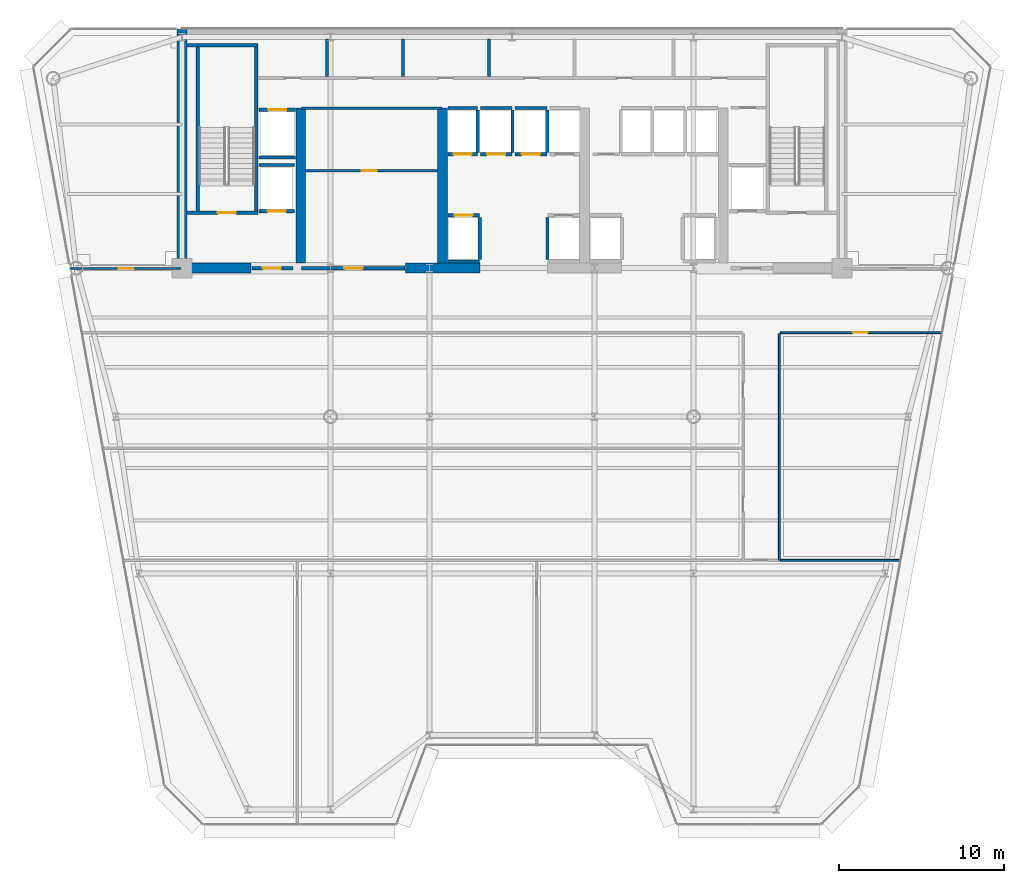
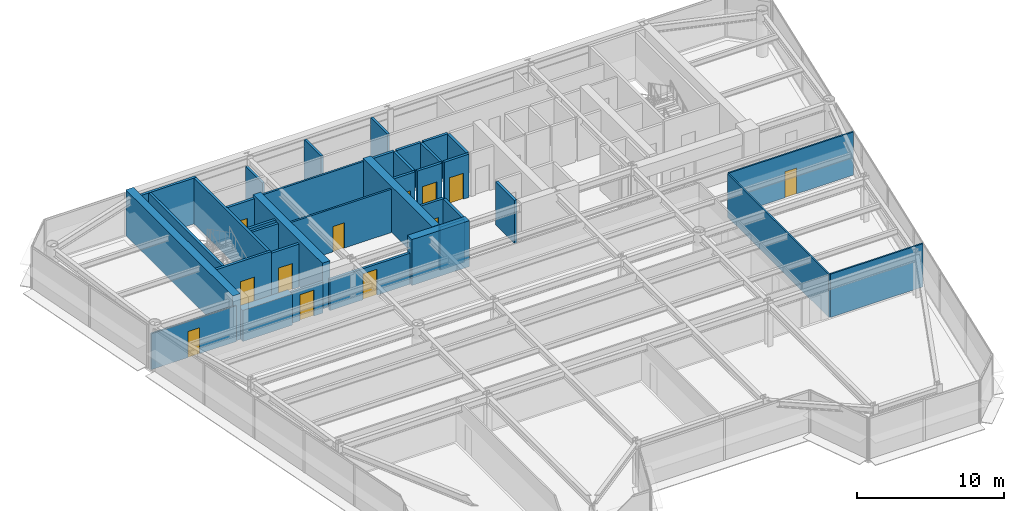
# One storey, part 11 of 17: 37 walls, 12 doors, 12 openings.
"""IFC4 building model written with IfcOpenShell, lengths in metres."""

from ifc_helpers import new_model, si_unit, direction, frame, frame_2d, origin, place, context, subcontext, project, spatial, rectangle, extrude, source, transform, mapped, material, layer, layer_set, type_object, element, fill, save


model = new_model("IFC4")

# Units and contexts
model_context = context("Model", 3, precision=1e-05, world=origin(), true_north=direction((0.0, 1.0)))
body_context = subcontext(model_context, "Body", "Model", "MODEL_VIEW")
ifc_project = project(units=[si_unit("LENGTHUNIT", "METRE"), si_unit("AREAUNIT", "SQUARE_METRE"), si_unit("VOLUMEUNIT", "CUBIC_METRE"), si_unit("PLANEANGLEUNIT", "RADIAN"), si_unit("MASSUNIT", "GRAM", prefix="KILO")], contexts=[model_context])

# Site, building, storey
site_placement = place(None, origin())
site = spatial("IfcSite", under=ifc_project, at=site_placement, CompositionType="ELEMENT")
building_placement = place(site_placement, origin())
building = spatial("IfcBuilding", under=site, at=building_placement, Name="Vaeldorn Concourse Tower", CompositionType="ELEMENT")
storey_placement = place(building_placement, frame((0.0, 0.0, 172.800048828125)))
storey = spatial("IfcBuildingStorey", under=building, at=storey_placement, Name="L44", CompositionType="ELEMENT", Elevation=172.800048828125)

# Walls
ifc_material_1 = material(Name="Concrete C50/60", Category="concrete")
ifc_layer_1 = layer(ifc_material_1, 0.60009765625)
ifc_layer_set_1 = layer_set([ifc_layer_1], Name="Concrete C50/60")
wall_type_1 = type_object("IfcWallType", Name="WL-CORE-600", PredefinedType="SHEAR", material=ifc_layer_set_1)
wall_1_placement = place(storey_placement, frame((14.0, 36.5, 0.0), z_axis=(0.0, 0.0, 1.0), x_axis=(0.0, 1.0, 0.0)))
element("IfcWall", 1, at=wall_1_placement, inside=storey, type_object=wall_type_1, Name="Rear Core Shear Wall L44 W1", PredefinedType="SHEAR", context=body_context, shape_type="SweptSolid", body=[
    extrude(rectangle(XDim=14.5, YDim=0.60009765625, at=frame_2d((7.25, 0.0))), origin(), (0.0, 0.0, 1.0), 3.800048828125),
])
wall_2_placement = place(storey_placement, frame((14.320068359375, 36.5, 0.0), z_axis=(0.0, 0.0, 1.0), x_axis=(1.0, 0.0, 0.0)))
element("IfcWall", 2, at=wall_2_placement, inside=storey, type_object=wall_type_1, Name="Rear Core Shear Wall L44 S1", PredefinedType="SHEAR", context=body_context, shape_type="SweptSolid", body=[
    extrude(rectangle(XDim=3.8798828125, YDim=0.60009765625, at=frame_2d((1.93994140625, 0.0))), origin(), (0.0, 0.0, 1.0), 2.579833984375),
])
wall_3_placement = place(storey_placement, frame((27.550048828125, 36.5, 0.0), z_axis=(0.0, 0.0, 1.0), x_axis=(1.0, 0.0, 0.0)))
element("IfcWall", 3, at=wall_3_placement, inside=storey, type_object=wall_type_1, Name="Rear Core Shear Wall L44 S2", PredefinedType="SHEAR", context=body_context, shape_type="SweptSolid", body=[
    extrude(rectangle(XDim=4.5, YDim=0.60009765625, at=frame_2d((2.25, 0.0))), origin(), (0.0, 0.0, 1.0), 3.800048828125),
])
for number, where, z_axis, x_axis, name in (
    (4, (21.199951171875, 36.820068359375, 0.0), (0.0, 0.0, 1.0), (0.0, 1.0, 0.0), "Rear Core Shear Wall L44 M1"),
    (5, (29.800048828125, 36.820068359375, 0.0), (0.0, 0.0, 1.0), (0.0, 1.0, 0.0), "Rear Core Shear Wall L44 M2"),
):
    element("IfcWall", number, at=place(storey_placement, frame(where, z_axis=z_axis, x_axis=x_axis)), inside=storey, type_object=wall_type_1, Name=name, PredefinedType="SHEAR", context=body_context, shape_type="SweptSolid", body=[
        extrude(rectangle(XDim=9.3798828125, YDim=0.60009765625, at=frame_2d((4.68994140625, 0.0))), origin(), (0.0, 0.0, 1.0), 3.800048828125),
    ])

# Wall, opening, door
ifc_material_2 = material(Name="Gypsum Board Partition", Category="gypsum")
ifc_layer_2 = layer(ifc_material_2, 0.1201171875)
ifc_layer_set_2 = layer_set([ifc_layer_2], Name="Gypsum Board Partition")
wall_type_2 = type_object("IfcWallType", Name="WL-PART-120", PredefinedType="PARTITIONING", material=ifc_layer_set_2)
wall_4_placement = place(storey_placement, frame((50.260009765625, 32.60009765625, 0.0), z_axis=(0.0, 0.0, 1.0), x_axis=(1.0, 0.0, 0.0)))
wall_4 = element("IfcWall", 6, at=wall_4_placement, inside=storey, type_object=wall_type_2, Name="Interior Wall PW-L44-C2SE", PredefinedType="PARTITIONING", context=body_context, shape_type="SweptSolid", body=[
    extrude(rectangle(XDim=9.76318359375, YDim=0.1201171875, at=frame_2d((4.881591796875, 0.0))), origin(), (0.0, 0.0, 1.0), 3.579833984375),
])
opening_1_placement = place(wall_4_placement, frame((4.402099609375, 0.0, 0.0)))
opening_1 = element("IfcOpeningElement", 7, at=opening_1_placement, cuts=wall_4, Name="Opening D-03", PredefinedType="OPENING", context=body_context, shape_type="SweptSolid", body=[
    extrude(rectangle(XDim=0.89990234375, YDim=2.14990234375, at=frame_2d((0.449951171875, 1.074951171875))), frame((0.0, 0.070068359375, 0.0), z_axis=(0.0, -1.0, 0.0), x_axis=(1.0, 0.0, 0.0)), (0.0, 0.0, 1.0), 0.14013671875),
])
ifc_material_3 = material(Name="Acoustic Bronze-Framed Glass Door", Category="glass")
door_type_1 = type_object("IfcDoorType", Name="DR-INT-900", OperationType="NOTDEFINED", PredefinedType="DOOR", material=ifc_material_3)
shared_shape_1 = source(origin(), body_context, "Body", "SweptSolid", [
    extrude(rectangle(XDim=0.89990234375, YDim=2.14990234375, at=frame_2d((0.449951171875, 1.074951171875))), frame((0.0, 0.02490234375, 0.0), z_axis=(0.0, -1.0, 0.0), x_axis=(1.0, 0.0, 0.0)), (0.0, 0.0, 1.0), 0.050048828125),
])
door_1_placement = place(opening_1_placement, origin())
door_1 = element("IfcDoor", 8, at=door_1_placement, inside=storey, type_object=door_type_1, Name="Interior Door DR-L44-Z2E1", OperationType="SINGLE_SWING_RIGHT", OverallHeight=2.14990234375, OverallWidth=0.89990234375, PredefinedType="DOOR", context=body_context, shape_type="MappedRepresentation", body=[
    mapped(shared_shape_1, transform((0.0, 0.0, 0.0), scale=1.0)),
])
fill(opening_1, door_1)

# Wall
wall_5_placement = place(storey_placement, frame((50.199951171875, 18.800048828125, 0.0), z_axis=(0.0, 0.0, 1.0), x_axis=(0.0, 1.0, 0.0)))
element("IfcWall", 9, at=wall_5_placement, inside=storey, type_object=wall_type_2, Name="Interior Wall PW-L44-SP2E", PredefinedType="PARTITIONING", context=body_context, shape_type="SweptSolid", body=[
    extrude(rectangle(XDim=13.739990234375, YDim=0.1201171875, at=frame_2d((6.8701171875, 0.0))), origin(), (0.0, 0.0, 1.0), 3.579833984375),
])

# Wall, opening, door
wall_6_placement = place(storey_placement, frame((7.2744140625, 36.47998046875, 0.0), z_axis=(0.0, 0.0, 1.0), x_axis=(1.0, 0.0, 0.0)))
wall_6 = element("IfcWall", 10, at=wall_6_placement, inside=storey, type_object=wall_type_2, Name="Interior Wall PW-L44-NWS", PredefinedType="PARTITIONING", context=body_context, shape_type="SweptSolid", body=[
    extrude(rectangle(XDim=6.66552734375, YDim=0.1201171875, at=frame_2d((3.332763671875, 0.0))), origin(), (0.0, 0.0, 1.0), 2.969970703125),
])
opening_2_placement = place(wall_6_placement, frame((2.883056640625, 0.0, 0.0)))
opening_2 = element("IfcOpeningElement", 11, at=opening_2_placement, cuts=wall_6, Name="Opening D-03", PredefinedType="OPENING", context=body_context, shape_type="SweptSolid", body=[
    extrude(rectangle(XDim=0.89990234375, YDim=2.14990234375, at=frame_2d((0.449951171875, 1.074951171875))), frame((0.0, 0.070068359375, 0.0), z_axis=(0.0, -1.0, 0.0), x_axis=(1.0, 0.0, 0.0)), (0.0, 0.0, 1.0), 0.14013671875),
])
door_2_placement = place(opening_2_placement, origin())
door_2 = element("IfcDoor", 12, at=door_2_placement, inside=storey, type_object=door_type_1, Name="Interior Door DR-L44-NWC", OperationType="SINGLE_SWING_LEFT", OverallHeight=2.14990234375, OverallWidth=0.89990234375, PredefinedType="DOOR", context=body_context, shape_type="MappedRepresentation", body=[
    mapped(shared_shape_1, transform((0.0, 0.0, 0.0), scale=1.0)),
])
fill(opening_2, door_2)

# Walls
wall_7_placement = place(storey_placement, frame((50.260009765625, 18.800048828125, 0.0), z_axis=(0.0, 0.0, 1.0), x_axis=(1.0, 0.0, 0.0)))
element("IfcWall", 13, at=wall_7_placement, inside=storey, type_object=wall_type_2, Name="Interior Wall PW-L44-S2EL", PredefinedType="PARTITIONING", context=body_context, shape_type="SweptSolid", body=[
    extrude(rectangle(XDim=7.24609375, YDim=0.1201171875, at=frame_2d((3.623046875, 0.0))), origin(), (0.0, 0.0, 1.0), 3.579833984375),
])
ifc_layer_3 = layer(ifc_material_2, 0.14990234375)
ifc_layer_set_3 = layer_set([ifc_layer_3], Name="Gypsum Board Partition")
wall_type_3 = type_object("IfcWallType", Name="WL-PART-150", PredefinedType="PARTITIONING", material=ifc_layer_set_3)
wall_8_placement = place(storey_placement, frame((21.25, 46.199951171875, 0.0), z_axis=(0.0, 0.0, 1.0), x_axis=(1.0, 0.0, 0.0)))
element("IfcWall", 14, at=wall_8_placement, inside=storey, type_object=wall_type_3, Name="Interior Wall CW-L44-R1N", PredefinedType="PARTITIONING", context=body_context, shape_type="SweptSolid", body=[
    extrude(rectangle(XDim=8.5, YDim=0.14990234375, at=frame_2d((4.25, 0.0))), origin(), (0.0, 0.0, 1.0), 3.579833984375),
])

# Wall, opening, door
wall_9_placement = place(storey_placement, frame((21.5, 42.39990234375, 0.0), z_axis=(0.0, 0.0, 1.0), x_axis=(1.0, 0.0, 0.0)))
wall_9 = element("IfcWall", 15, at=wall_9_placement, inside=storey, type_object=wall_type_3, Name="Interior Wall CW-L44-R1M", PredefinedType="PARTITIONING", context=body_context, shape_type="SweptSolid", body=[
    extrude(rectangle(XDim=8.0, YDim=0.14990234375, at=frame_2d((4.0, 0.0))), origin(), (0.0, 0.0, 1.0), 3.579833984375),
])
opening_3_placement = place(wall_9_placement, frame((3.39990234375, 0.0, 0.0)))
opening_3 = element("IfcOpeningElement", 16, at=opening_3_placement, cuts=wall_9, Name="Opening D-02", PredefinedType="OPENING", context=body_context, shape_type="SweptSolid", body=[
    extrude(rectangle(XDim=0.89990234375, YDim=2.10009765625, at=frame_2d((0.449951171875, 1.050048828125))), frame((0.0, 0.0849609375, 0.0), z_axis=(0.0, -1.0, 0.0), x_axis=(1.0, 0.0, 0.0)), (0.0, 0.0, 1.0), 0.169921875),
])
ifc_material_4 = material(Name="Fire-Rated Timber Leaf", Category="wood")
door_type_2 = type_object("IfcDoorType", Name="DR-FD30-900", OperationType="NOTDEFINED", PredefinedType="DOOR", material=ifc_material_4)
shared_shape_2 = source(origin(), body_context, "Body", "SweptSolid", [
    extrude(rectangle(XDim=0.89990234375, YDim=2.10009765625, at=frame_2d((0.449951171875, 1.050048828125))), frame((0.0, 0.02490234375, 0.0), z_axis=(0.0, -1.0, 0.0), x_axis=(1.0, 0.0, 0.0)), (0.0, 0.0, 1.0), 0.050048828125),
])
door_3_placement = place(opening_3_placement, origin())
door_3 = element("IfcDoor", 17, at=door_3_placement, inside=storey, type_object=door_type_2, Name="Interior Door DR-L44-R1M", OperationType="SINGLE_SWING_RIGHT", OverallHeight=2.10009765625, OverallWidth=0.89990234375, PredefinedType="DOOR", context=body_context, shape_type="MappedRepresentation", body=[
    mapped(shared_shape_2, transform((0.0, 0.0, 0.0), scale=1.0)),
])
fill(opening_3, door_3)

# Walls
ifc_layer_4 = layer(ifc_material_2, 0.179931640625)
ifc_layer_set_4 = layer_set([ifc_layer_4], Name="Gypsum Board Partition")
wall_type_4 = type_object("IfcWallType", Name="WL-PLUMB-180", PredefinedType="PLUMBINGWALL", material=ifc_layer_set_4)
wall_10_placement = place(storey_placement, frame((22.800048828125, 48.10009765625, 0.0), z_axis=(0.0, 0.0, 1.0), x_axis=(0.0, 1.0, 0.0)))
element("IfcWall", 18, at=wall_10_placement, inside=storey, type_object=wall_type_4, Name="Interior Wall CW-L44-NDIV1", PredefinedType="PLUMBINGWALL", context=body_context, shape_type="SweptSolid", body=[
    extrude(rectangle(XDim=2.27978515625, YDim=0.179931640625, at=frame_2d((1.139892578125, 0.0))), origin(), (0.0, 0.0, 1.0), 2.969970703125),
])
for number, where, z_axis, x_axis, name in (
    (19, (27.39990234375, 48.10009765625, 0.0), (0.0, 0.0, 1.0), (0.0, 1.0, 0.0), "Interior Wall CW-L44-NDIV2"),
    (20, (32.60009765625, 48.10009765625, 0.0), (0.0, 0.0, 1.0), (0.0, 1.0, 0.0), "Interior Wall CW-L44-NDIV3"),
):
    element("IfcWall", number, at=place(storey_placement, frame(where, z_axis=z_axis, x_axis=x_axis)), inside=storey, type_object=wall_type_4, Name=name, PredefinedType="PLUMBINGWALL", context=body_context, shape_type="SweptSolid", body=[
        extrude(rectangle(XDim=2.27978515625, YDim=0.179931640625, at=frame_2d((1.139892578125, 0.0))), origin(), (0.0, 0.0, 1.0), 3.579833984375),
    ])

# Wall, opening, door
ifc_layer_5 = layer(ifc_material_1, 0.199951171875)
ifc_layer_set_5 = layer_set([ifc_layer_5], Name="Concrete C50/60")
wall_type_5 = type_object("IfcWallType", Name="WL-SHAFT-200", PredefinedType="SOLIDWALL", material=ifc_layer_set_5)
wall_11_placement = place(storey_placement, frame((14.300048828125, 39.85009765625, 0.0), z_axis=(0.0, 0.0, 1.0), x_axis=(1.0, 0.0, 0.0)))
wall_11 = element("IfcWall", 21, at=wall_11_placement, inside=storey, type_object=wall_type_5, Name="Stair Shaft Wall CW-L44-ST-1-S", PredefinedType="SOLIDWALL", context=body_context, shape_type="SweptSolid", body=[
    extrude(rectangle(XDim=4.300048828125, YDim=0.199951171875, at=frame_2d((2.14990234375, 0.0))), origin(), (0.0, 0.0, 1.0), 3.800048828125),
])
opening_4_placement = place(wall_11_placement, frame((1.875, 0.0, 0.0)))
opening_4 = element("IfcOpeningElement", 22, at=opening_4_placement, cuts=wall_11, Name="Opening D-01", PredefinedType="OPENING", context=body_context, shape_type="SweptSolid", body=[
    extrude(rectangle(XDim=1.10009765625, YDim=2.14990234375, at=frame_2d((0.550048828125, 1.074951171875))), frame((0.0, 0.10986328125, 0.0), z_axis=(0.0, -1.0, 0.0), x_axis=(1.0, 0.0, 0.0)), (0.0, 0.0, 1.0), 0.219970703125),
])
ifc_material_5 = material(Name="Fire-Rated Timber and Steel Leaf", Category="steel")
door_type_3 = type_object("IfcDoorType", Name="DR-FD60-1100", OperationType="NOTDEFINED", PredefinedType="DOOR", material=ifc_material_5)
shared_shape_3 = source(origin(), body_context, "Body", "SweptSolid", [
    extrude(rectangle(XDim=1.10009765625, YDim=2.14990234375, at=frame_2d((0.550048828125, 1.074951171875))), frame((0.0, 0.02490234375, 0.0), z_axis=(0.0, -1.0, 0.0), x_axis=(1.0, 0.0, 0.0)), (0.0, 0.0, 1.0), 0.050048828125),
])
door_4_placement = place(opening_4_placement, origin())
door_4 = element("IfcDoor", 23, at=door_4_placement, inside=storey, type_object=door_type_3, Name="Interior Door DR-L44-ST-1", OperationType="SINGLE_SWING_LEFT", OverallHeight=2.14990234375, OverallWidth=1.10009765625, PredefinedType="DOOR", context=body_context, shape_type="MappedRepresentation", body=[
    mapped(shared_shape_3, transform((0.0, 0.0, 0.0), scale=1.0)),
])
fill(opening_4, door_4)

# Walls
wall_12_placement = place(storey_placement, frame((14.300048828125, 50.0, 0.0), z_axis=(0.0, 0.0, 1.0), x_axis=(1.0, 0.0, 0.0)))
element("IfcWall", 24, at=wall_12_placement, inside=storey, type_object=wall_type_5, Name="Stair Shaft Wall CW-L44-ST-1-N", PredefinedType="SOLIDWALL", context=body_context, shape_type="SweptSolid", body=[
    extrude(rectangle(XDim=4.300048828125, YDim=0.199951171875, at=frame_2d((2.14990234375, 0.0))), origin(), (0.0, 0.0, 1.0), 3.800048828125),
])
for number, where, z_axis, x_axis, name in (
    (25, (14.949951171875, 39.9599609375, 0.0), (0.0, 0.0, 1.0), (0.0, 1.0, 0.0), "Stair Shaft Wall CW-L44-ST-1-W"),
    (26, (18.5, 39.9599609375, 0.0), (0.0, 0.0, 1.0), (0.0, 1.0, 0.0), "Stair Shaft Wall CW-L44-ST-1-E"),
):
    element("IfcWall", number, at=place(storey_placement, frame(where, z_axis=z_axis, x_axis=x_axis)), inside=storey, type_object=wall_type_5, Name=name, PredefinedType="SOLIDWALL", context=body_context, shape_type="SweptSolid", body=[
        extrude(rectangle(XDim=9.929931640625, YDim=0.199951171875, at=frame_2d((4.96484375, 0.0))), origin(), (0.0, 0.0, 1.0), 3.800048828125),
    ])

# Wall, opening, door
wall_13_placement = place(storey_placement, frame((18.25, 36.5, 0.0), z_axis=(0.0, 0.0, 1.0), x_axis=(1.0, 0.0, 0.0)))
wall_13 = element("IfcWall", 27, at=wall_13_placement, inside=storey, type_object=wall_type_5, Name="Interior Wall CW-L44-FF1S", PredefinedType="SOLIDWALL", context=body_context, shape_type="SweptSolid", body=[
    extrude(rectangle(XDim=2.469970703125, YDim=0.199951171875, at=frame_2d((1.23486328125, 0.0))), origin(), (0.0, 0.0, 1.0), 2.570068359375),
])
opening_5_placement = place(wall_13_placement, frame((0.64990234375, 0.0, 0.0)))
opening_5 = element("IfcOpeningElement", 28, at=opening_5_placement, cuts=wall_13, Name="Opening D-01", PredefinedType="OPENING", context=body_context, shape_type="SweptSolid", body=[
    extrude(rectangle(XDim=1.10009765625, YDim=2.14990234375, at=frame_2d((0.550048828125, 1.074951171875))), frame((0.0, 0.10986328125, 0.0), z_axis=(0.0, -1.0, 0.0), x_axis=(1.0, 0.0, 0.0)), (0.0, 0.0, 1.0), 0.219970703125),
])
door_5_placement = place(opening_5_placement, origin())
door_5 = element("IfcDoor", 29, at=door_5_placement, inside=storey, type_object=door_type_3, Name="Interior Door DR-L44-FF1E", OperationType="SINGLE_SWING_RIGHT", OverallHeight=2.14990234375, OverallWidth=1.10009765625, PredefinedType="DOOR", context=body_context, shape_type="MappedRepresentation", body=[
    mapped(shared_shape_3, transform((0.0, 0.0, 0.0), scale=1.0)),
])
fill(opening_5, door_5)

wall_14_placement = place(storey_placement, frame((30.110107421875, 39.699951171875, 0.0), z_axis=(0.0, 0.0, 1.0), x_axis=(1.0, 0.0, 0.0)))
wall_14 = element("IfcWall", 30, at=wall_14_placement, inside=storey, type_object=wall_type_5, Name="Interior Wall CW-L44-LF-LF-07", PredefinedType="SOLIDWALL", context=body_context, shape_type="SweptSolid", body=[
    extrude(rectangle(XDim=1.919921875, YDim=0.199951171875, at=frame_2d((0.9599609375, 0.0))), origin(), (0.0, 0.0, 1.0), 3.579833984375),
])
opening_6_placement = place(wall_14_placement, frame((0.409912109375, 0.0, 0.0)))
opening_6 = element("IfcOpeningElement", 31, at=opening_6_placement, cuts=wall_14, Name="Opening LD-1", PredefinedType="OPENING", context=body_context, shape_type="SweptSolid", body=[
    extrude(rectangle(XDim=1.10009765625, YDim=2.14990234375, at=frame_2d((0.550048828125, 1.074951171875))), frame((0.0, 0.10986328125, 0.0), z_axis=(0.0, -1.0, 0.0), x_axis=(1.0, 0.0, 0.0)), (0.0, 0.0, 1.0), 0.219970703125),
])
ifc_material_6 = material(Name="Anodised Bronze Aluminium", Category="aluminium")
door_type_4 = type_object("IfcDoorType", Name="DR-LIFT-SLIDE-1100", OperationType="DOUBLE_DOOR_SLIDING", PredefinedType="DOOR", material=ifc_material_6)
door_6_placement = place(opening_6_placement, origin())
door_6 = element("IfcDoor", 32, at=door_6_placement, inside=storey, type_object=door_type_4, Name="Lift Landing Door LD-L44-LF-07", OperationType="DOUBLE_DOOR_SLIDING", OverallHeight=2.14990234375, OverallWidth=1.10009765625, PredefinedType="DOOR", context=body_context, shape_type="MappedRepresentation", body=[
    mapped(shared_shape_3, transform((0.0, 0.0, 0.0), scale=1.0)),
])
fill(opening_6, door_6)

# Walls
wall_15_placement = place(storey_placement, frame((30.110107421875, 36.89990234375, 0.0), z_axis=(0.0, 0.0, 1.0), x_axis=(1.0, 0.0, 0.0)))
element("IfcWall", 33, at=wall_15_placement, inside=storey, type_object=wall_type_5, Name="Interior Wall CW-L44-LFB-LF-07", PredefinedType="SOLIDWALL", context=body_context, shape_type="SweptSolid", body=[
    extrude(rectangle(XDim=1.919921875, YDim=0.199951171875, at=frame_2d((0.9599609375, 0.0))), origin(), (0.0, 0.0, 1.0), 3.579833984375),
])
for number, where, z_axis, x_axis, name in (
    (34, (32.050048828125, 37.02001953125, 0.0), (0.0, 0.0, 1.0), (0.0, 1.0, 0.0), "Interior Wall CW-L44-LFE-LF-07"),
    (35, (36.14990234375, 37.02001953125, 0.0), (0.0, 0.0, 1.0), (0.0, 1.0, 0.0), "Interior Wall CW-L44-LFW-LF-08"),
):
    element("IfcWall", number, at=place(storey_placement, frame(where, z_axis=z_axis, x_axis=x_axis)), inside=storey, type_object=wall_type_5, Name=name, PredefinedType="SOLIDWALL", context=body_context, shape_type="SweptSolid", body=[
        extrude(rectangle(XDim=2.56005859375, YDim=0.199951171875, at=frame_2d((1.280029296875, 0.0))), origin(), (0.0, 0.0, 1.0), 3.579833984375),
    ])

# Wall, opening, door
wall_16_placement = place(storey_placement, frame((30.110107421875, 43.39990234375, 0.0), z_axis=(0.0, 0.0, 1.0), x_axis=(1.0, 0.0, 0.0)))
wall_16 = element("IfcWall", 36, at=wall_16_placement, inside=storey, type_object=wall_type_5, Name="Interior Wall CW-L44-LF-LF-09", PredefinedType="SOLIDWALL", context=body_context, shape_type="SweptSolid", body=[
    extrude(rectangle(XDim=1.7998046875, YDim=0.199951171875, at=frame_2d((0.89990234375, 0.0))), origin(), (0.0, 0.0, 1.0), 3.579833984375),
])
opening_7_placement = place(wall_16_placement, frame((0.35009765625, 0.0, 0.0)))
opening_7 = element("IfcOpeningElement", 37, at=opening_7_placement, cuts=wall_16, Name="Opening LD-1", PredefinedType="OPENING", context=body_context, shape_type="SweptSolid", body=[
    extrude(rectangle(XDim=1.10009765625, YDim=2.14990234375, at=frame_2d((0.550048828125, 1.074951171875))), frame((0.0, 0.10986328125, 0.0), z_axis=(0.0, -1.0, 0.0), x_axis=(1.0, 0.0, 0.0)), (0.0, 0.0, 1.0), 0.219970703125),
])
door_7_placement = place(opening_7_placement, origin())
door_7 = element("IfcDoor", 38, at=door_7_placement, inside=storey, type_object=door_type_4, Name="Lift Landing Door LD-L44-LF-09", OperationType="DOUBLE_DOOR_SLIDING", OverallHeight=2.14990234375, OverallWidth=1.10009765625, PredefinedType="DOOR", context=body_context, shape_type="MappedRepresentation", body=[
    mapped(shared_shape_3, transform((0.0, 0.0, 0.0), scale=1.0)),
])
fill(opening_7, door_7)

# Walls
wall_17_placement = place(storey_placement, frame((30.110107421875, 46.199951171875, 0.0), z_axis=(0.0, 0.0, 1.0), x_axis=(1.0, 0.0, 0.0)))
element("IfcWall", 39, at=wall_17_placement, inside=storey, type_object=wall_type_5, Name="Interior Wall CW-L44-LFB-LF-09", PredefinedType="SOLIDWALL", context=body_context, shape_type="SweptSolid", body=[
    extrude(rectangle(XDim=1.7998046875, YDim=0.199951171875, at=frame_2d((0.89990234375, 0.0))), origin(), (0.0, 0.0, 1.0), 3.579833984375),
])
wall_18_placement = place(storey_placement, frame((31.929931640625, 43.52001953125, 0.0), z_axis=(0.0, 0.0, 1.0), x_axis=(0.0, 1.0, 0.0)))
element("IfcWall", 40, at=wall_18_placement, inside=storey, type_object=wall_type_5, Name="Interior Wall CW-L44-LFE-LF-09", PredefinedType="SOLIDWALL", context=body_context, shape_type="SweptSolid", body=[
    extrude(rectangle(XDim=2.56005859375, YDim=0.199951171875, at=frame_2d((1.280029296875, 0.0))), origin(), (0.0, 0.0, 1.0), 3.579833984375),
])

# Wall, opening, door
wall_19_placement = place(storey_placement, frame((32.090087890625, 43.39990234375, 0.0), z_axis=(0.0, 0.0, 1.0), x_axis=(1.0, 0.0, 0.0)))
wall_19 = element("IfcWall", 41, at=wall_19_placement, inside=storey, type_object=wall_type_5, Name="Interior Wall CW-L44-LF-LF-10", PredefinedType="SOLIDWALL", context=body_context, shape_type="SweptSolid", body=[
    extrude(rectangle(XDim=1.919921875, YDim=0.199951171875, at=frame_2d((0.9599609375, 0.0))), origin(), (0.0, 0.0, 1.0), 3.579833984375),
])
opening_8_placement = place(wall_19_placement, frame((0.409912109375, 0.0, 0.0)))
opening_8 = element("IfcOpeningElement", 42, at=opening_8_placement, cuts=wall_19, Name="Opening LD-1", PredefinedType="OPENING", context=body_context, shape_type="SweptSolid", body=[
    extrude(rectangle(XDim=1.10009765625, YDim=2.14990234375, at=frame_2d((0.550048828125, 1.074951171875))), frame((0.0, 0.10986328125, 0.0), z_axis=(0.0, -1.0, 0.0), x_axis=(1.0, 0.0, 0.0)), (0.0, 0.0, 1.0), 0.219970703125),
])
door_8_placement = place(opening_8_placement, origin())
door_8 = element("IfcDoor", 43, at=door_8_placement, inside=storey, type_object=door_type_4, Name="Lift Landing Door LD-L44-LF-10", OperationType="DOUBLE_DOOR_SLIDING", OverallHeight=2.14990234375, OverallWidth=1.10009765625, PredefinedType="DOOR", context=body_context, shape_type="MappedRepresentation", body=[
    mapped(shared_shape_3, transform((0.0, 0.0, 0.0), scale=1.0)),
])
fill(opening_8, door_8)

# Walls
wall_20_placement = place(storey_placement, frame((32.090087890625, 46.199951171875, 0.0), z_axis=(0.0, 0.0, 1.0), x_axis=(1.0, 0.0, 0.0)))
element("IfcWall", 44, at=wall_20_placement, inside=storey, type_object=wall_type_5, Name="Interior Wall CW-L44-LFB-LF-10", PredefinedType="SOLIDWALL", context=body_context, shape_type="SweptSolid", body=[
    extrude(rectangle(XDim=1.919921875, YDim=0.199951171875, at=frame_2d((0.9599609375, 0.0))), origin(), (0.0, 0.0, 1.0), 3.579833984375),
])
wall_21_placement = place(storey_placement, frame((34.030029296875, 43.52001953125, 0.0), z_axis=(0.0, 0.0, 1.0), x_axis=(0.0, 1.0, 0.0)))
element("IfcWall", 45, at=wall_21_placement, inside=storey, type_object=wall_type_5, Name="Interior Wall CW-L44-LFE-LF-10", PredefinedType="SOLIDWALL", context=body_context, shape_type="SweptSolid", body=[
    extrude(rectangle(XDim=2.56005859375, YDim=0.199951171875, at=frame_2d((1.280029296875, 0.0))), origin(), (0.0, 0.0, 1.0), 3.579833984375),
])

# Wall, opening, door
wall_22_placement = place(storey_placement, frame((34.18994140625, 43.39990234375, 0.0), z_axis=(0.0, 0.0, 1.0), x_axis=(1.0, 0.0, 0.0)))
wall_22 = element("IfcWall", 46, at=wall_22_placement, inside=storey, type_object=wall_type_5, Name="Interior Wall CW-L44-LF-LF-11", PredefinedType="SOLIDWALL", context=body_context, shape_type="SweptSolid", body=[
    extrude(rectangle(XDim=1.920166015625, YDim=0.199951171875, at=frame_2d((0.9599609375, 0.0))), origin(), (0.0, 0.0, 1.0), 3.579833984375),
])
opening_9_placement = place(wall_22_placement, frame((0.409912109375, 0.0, 0.0)))
opening_9 = element("IfcOpeningElement", 47, at=opening_9_placement, cuts=wall_22, Name="Opening LD-1", PredefinedType="OPENING", context=body_context, shape_type="SweptSolid", body=[
    extrude(rectangle(XDim=1.10009765625, YDim=2.14990234375, at=frame_2d((0.550048828125, 1.074951171875))), frame((0.0, 0.10986328125, 0.0), z_axis=(0.0, -1.0, 0.0), x_axis=(1.0, 0.0, 0.0)), (0.0, 0.0, 1.0), 0.219970703125),
])
door_9_placement = place(opening_9_placement, origin())
door_9 = element("IfcDoor", 48, at=door_9_placement, inside=storey, type_object=door_type_4, Name="Lift Landing Door LD-L44-LF-11", OperationType="DOUBLE_DOOR_SLIDING", OverallHeight=2.14990234375, OverallWidth=1.10009765625, PredefinedType="DOOR", context=body_context, shape_type="MappedRepresentation", body=[
    mapped(shared_shape_3, transform((0.0, 0.0, 0.0), scale=1.0)),
])
fill(opening_9, door_9)

# Walls
wall_23_placement = place(storey_placement, frame((34.18994140625, 46.199951171875, 0.0), z_axis=(0.0, 0.0, 1.0), x_axis=(1.0, 0.0, 0.0)))
element("IfcWall", 49, at=wall_23_placement, inside=storey, type_object=wall_type_5, Name="Interior Wall CW-L44-LFB-LF-11", PredefinedType="SOLIDWALL", context=body_context, shape_type="SweptSolid", body=[
    extrude(rectangle(XDim=1.920166015625, YDim=0.199951171875, at=frame_2d((0.9599609375, 0.0))), origin(), (0.0, 0.0, 1.0), 3.579833984375),
])
wall_24_placement = place(storey_placement, frame((36.1298828125, 43.52001953125, 0.0), z_axis=(0.0, 0.0, 1.0), x_axis=(0.0, 1.0, 0.0)))
element("IfcWall", 50, at=wall_24_placement, inside=storey, type_object=wall_type_5, Name="Interior Wall CW-L44-LFE-LF-11", PredefinedType="SOLIDWALL", context=body_context, shape_type="SweptSolid", body=[
    extrude(rectangle(XDim=2.56005859375, YDim=0.199951171875, at=frame_2d((1.280029296875, 0.0))), origin(), (0.0, 0.0, 1.0), 3.579833984375),
])

# Wall, opening, door
wall_25_placement = place(storey_placement, frame((18.669921875, 46.10009765625, 0.0), z_axis=(0.0, 0.0, 1.0), x_axis=(1.0, 0.0, 0.0)))
wall_25 = element("IfcWall", 51, at=wall_25_placement, inside=storey, type_object=wall_type_5, Name="Interior Wall CW-L44-LF-LF-SV1", PredefinedType="SOLIDWALL", context=body_context, shape_type="SweptSolid", body=[
    extrude(rectangle(XDim=2.219970703125, YDim=0.199951171875, at=frame_2d((1.10986328125, 0.0))), origin(), (0.0, 0.0, 1.0), 3.579833984375),
])
opening_10_placement = place(wall_25_placement, frame((0.56005859375, 0.0, 0.0)))
opening_10 = element("IfcOpeningElement", 52, at=opening_10_placement, cuts=wall_25, Name="Opening LD-1", PredefinedType="OPENING", context=body_context, shape_type="SweptSolid", body=[
    extrude(rectangle(XDim=1.10009765625, YDim=2.14990234375, at=frame_2d((0.550048828125, 1.074951171875))), frame((0.0, 0.10986328125, 0.0), z_axis=(0.0, -1.0, 0.0), x_axis=(1.0, 0.0, 0.0)), (0.0, 0.0, 1.0), 0.219970703125),
])
door_10_placement = place(opening_10_placement, origin())
door_10 = element("IfcDoor", 53, at=door_10_placement, inside=storey, type_object=door_type_4, Name="Lift Landing Door LD-L44-LF-SV1", OperationType="DOUBLE_DOOR_SLIDING", OverallHeight=2.14990234375, OverallWidth=1.10009765625, PredefinedType="DOOR", context=body_context, shape_type="MappedRepresentation", body=[
    mapped(shared_shape_3, transform((0.0, 0.0, 0.0), scale=1.0)),
])
fill(opening_10, door_10)

# Wall
wall_26_placement = place(storey_placement, frame((18.669921875, 43.199951171875, 0.0), z_axis=(0.0, 0.0, 1.0), x_axis=(1.0, 0.0, 0.0)))
element("IfcWall", 54, at=wall_26_placement, inside=storey, type_object=wall_type_5, Name="Interior Wall CW-L44-LFB-LF-SV1", PredefinedType="SOLIDWALL", context=body_context, shape_type="SweptSolid", body=[
    extrude(rectangle(XDim=2.219970703125, YDim=0.199951171875, at=frame_2d((1.10986328125, 0.0))), origin(), (0.0, 0.0, 1.0), 3.579833984375),
])

# Wall, opening, door
wall_27_placement = place(storey_placement, frame((18.669921875, 39.949951171875, 0.0), z_axis=(0.0, 0.0, 1.0), x_axis=(1.0, 0.0, 0.0)))
wall_27 = element("IfcWall", 55, at=wall_27_placement, inside=storey, type_object=wall_type_5, Name="Interior Wall CW-L44-LF-LF-FF1", PredefinedType="SOLIDWALL", context=body_context, shape_type="SweptSolid", body=[
    extrude(rectangle(XDim=2.16015625, YDim=0.199951171875, at=frame_2d((1.080078125, 0.0))), origin(), (0.0, 0.0, 1.0), 3.579833984375),
])
opening_11_placement = place(wall_27_placement, frame((0.530029296875, 0.0, 0.0)))
opening_11 = element("IfcOpeningElement", 56, at=opening_11_placement, cuts=wall_27, Name="Opening LD-1", PredefinedType="OPENING", context=body_context, shape_type="SweptSolid", body=[
    extrude(rectangle(XDim=1.10009765625, YDim=2.14990234375, at=frame_2d((0.550048828125, 1.074951171875))), frame((0.0, 0.10986328125, 0.0), z_axis=(0.0, -1.0, 0.0), x_axis=(1.0, 0.0, 0.0)), (0.0, 0.0, 1.0), 0.219970703125),
])
door_11_placement = place(opening_11_placement, origin())
door_11 = element("IfcDoor", 57, at=door_11_placement, inside=storey, type_object=door_type_4, Name="Lift Landing Door LD-L44-LF-FF1", OperationType="DOUBLE_DOOR_SLIDING", OverallHeight=2.14990234375, OverallWidth=1.10009765625, PredefinedType="DOOR", context=body_context, shape_type="MappedRepresentation", body=[
    mapped(shared_shape_3, transform((0.0, 0.0, 0.0), scale=1.0)),
])
fill(opening_11, door_11)

# Wall
wall_28_placement = place(storey_placement, frame((18.669921875, 42.75, 0.0), z_axis=(0.0, 0.0, 1.0), x_axis=(1.0, 0.0, 0.0)))
element("IfcWall", 58, at=wall_28_placement, inside=storey, type_object=wall_type_5, Name="Interior Wall CW-L44-LFB-LF-FF1", PredefinedType="SOLIDWALL", context=body_context, shape_type="SweptSolid", body=[
    extrude(rectangle(XDim=2.16015625, YDim=0.199951171875, at=frame_2d((1.080078125, 0.0))), origin(), (0.0, 0.0, 1.0), 3.579833984375),
])

# Wall, opening, door
wall_29_placement = place(storey_placement, frame((21.25, 36.5, 0.0), z_axis=(0.0, 0.0, 1.0), x_axis=(1.0, 0.0, 0.0)))
wall_29 = element("IfcWall", 59, at=wall_29_placement, inside=storey, type_object=wall_type_5, Name="Interior Wall CW-L44-R1S", PredefinedType="SOLIDWALL", context=body_context, shape_type="SweptSolid", body=[
    extrude(rectangle(XDim=6.27001953125, YDim=0.199951171875, at=frame_2d((3.135009765625, 0.0))), origin(), (0.0, 0.0, 1.0), 2.570068359375),
])
opening_12_placement = place(wall_29_placement, frame((2.60009765625, 0.0, 0.0)))
opening_12 = element("IfcOpeningElement", 60, at=opening_12_placement, cuts=wall_29, Name="Opening D-01", PredefinedType="OPENING", context=body_context, shape_type="SweptSolid", body=[
    extrude(rectangle(XDim=1.10009765625, YDim=2.14990234375, at=frame_2d((0.550048828125, 1.074951171875))), frame((0.0, 0.10986328125, 0.0), z_axis=(0.0, -1.0, 0.0), x_axis=(1.0, 0.0, 0.0)), (0.0, 0.0, 1.0), 0.219970703125),
])
door_12_placement = place(opening_12_placement, origin())
door_12 = element("IfcDoor", 61, at=door_12_placement, inside=storey, type_object=door_type_3, Name="Interior Door DR-L44-R1S", OperationType="SINGLE_SWING_LEFT", OverallHeight=2.14990234375, OverallWidth=1.10009765625, PredefinedType="DOOR", context=body_context, shape_type="MappedRepresentation", body=[
    mapped(shared_shape_3, transform((0.0, 0.0, 0.0), scale=1.0)),
])
fill(opening_12, door_12)

save(model, "model.ifc")
